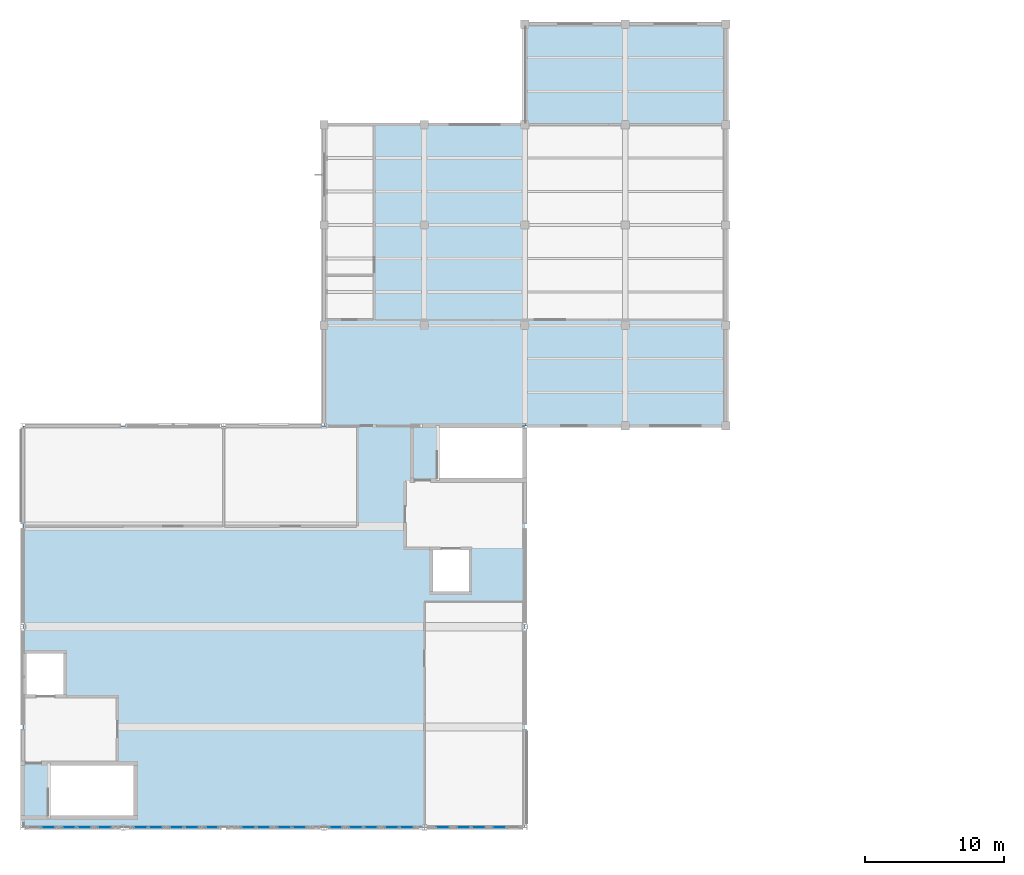
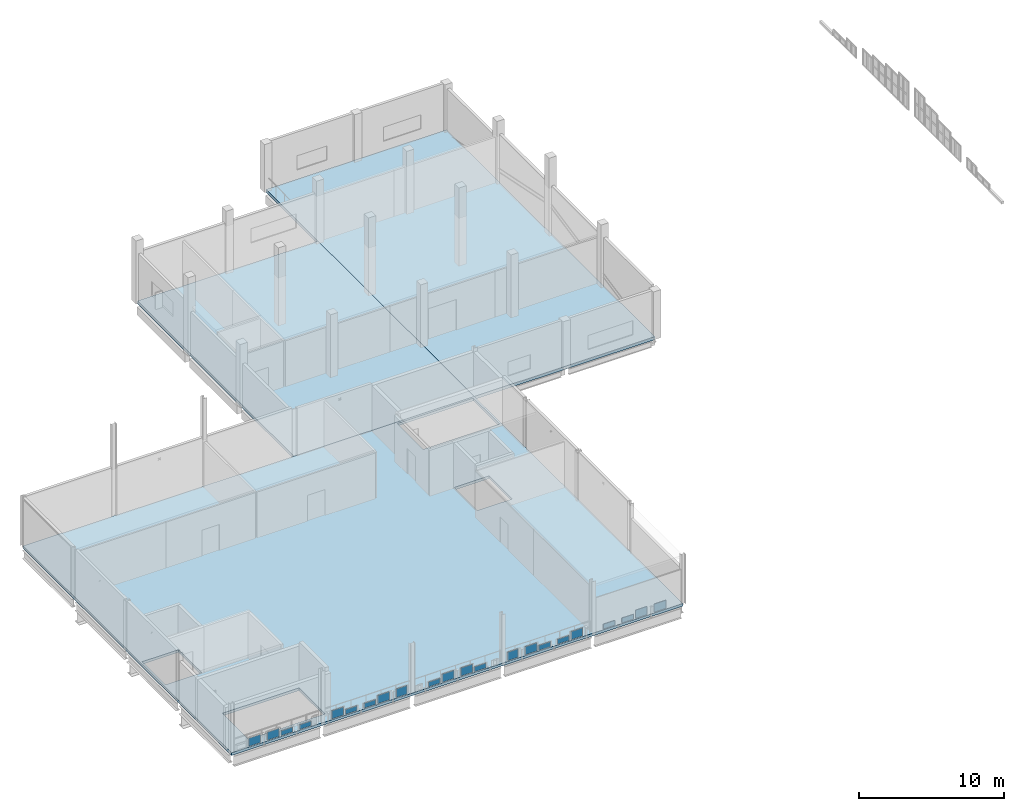
# One storey, part 10 of 20: 22 plates, 3 slabs, 22 elements without a shape of their own.
"""IFC4 building model written with IfcOpenShell, lengths in metres."""

from ifc_helpers import new_model, si_unit, direction, frame, origin, origin_2d, place, context, subcontext, project, spatial, polyline, rectangle, outline, extrude, material, layer, layer_set, type_object, element, aggregate, save


model = new_model("IFC4")

# Units and contexts
model_context = context("Model", 3, precision=1e-05, world=origin(), true_north=direction((0.0, 1.0)))
body_context = subcontext(model_context, "Body", "Model", "MODEL_VIEW")
ifc_project = project(units=[si_unit("LENGTHUNIT", "METRE"), si_unit("AREAUNIT", "SQUARE_METRE"), si_unit("VOLUMEUNIT", "CUBIC_METRE"), si_unit("PLANEANGLEUNIT", "RADIAN"), si_unit("MASSUNIT", "GRAM", prefix="KILO"), si_unit("THERMODYNAMICTEMPERATUREUNIT", "KELVIN"), si_unit("POWERUNIT", "WATT")], contexts=[model_context])

# Site, building, storey
site_placement = place(None, origin())
site = spatial("IfcSite", under=ifc_project, at=site_placement, CompositionType="ELEMENT")
building_placement = place(site_placement, origin())
building = spatial("IfcBuilding", under=site, at=building_placement, Name="Kaldorven Railside Theatre", CompositionType="ELEMENT")
storey_placement = place(building_placement, frame((0.0, 0.0, 23.10009765625)))
storey = spatial("IfcBuildingStorey", under=building, at=storey_placement, Name="L05", CompositionType="ELEMENT", Elevation=23.10009765625)

# Curtain wall, plate
ifc_material_1 = material(Name="Low-E laminated solar-control glass", Category="glass")
ifc_layer_1 = layer(ifc_material_1, 0.159912109375, Name="Low-E laminated solar-control glass")
ifc_layer_set_1 = layer_set([ifc_layer_1], Name="Low-E laminated solar-control glass")
curtain_wall_type_1 = type_object("IfcCurtainWallType", Name="CWT-42", PredefinedType="USERDEFINED", material=ifc_layer_set_1)
curtain_wall_1_placement = place(storey_placement, origin())
curtain_wall_1 = element("IfcCurtainWall", 1, at=curtain_wall_1_placement, inside=storey, type_object=curtain_wall_type_1, Name="Main Theatre North Ridge Clerestory CWG-034", ObjectType="FLUTED GLAZING", PredefinedType="USERDEFINED")
ifc_layer_2 = layer(ifc_material_1, 0.028076171875, Name="Low-E laminated solar-control glass")
ifc_layer_set_2 = layer_set([ifc_layer_2], Name="Low-E laminated solar-control glass")
plate_type = type_object("IfcPlateType", Name="CWP-GLZ28", PredefinedType="CURTAIN_PANEL", material=ifc_layer_set_2)
plate_1_placement = place(storey_placement, frame((89.028564453125, 84.0, 0.080078125), z_axis=(0.0, 0.0, 1.0), x_axis=(1.0, 0.0, 0.0)))
plate_1 = element("IfcPlate", 2, at=plate_1_placement, type_object=plate_type, Name="CWG-034 panel 1.1", PredefinedType="CURTAIN_PANEL", context=body_context, shape_type="SweptSolid", body=[
    extrude(rectangle(XDim=0.92578125, YDim=0.028076171875, at=origin_2d()), origin(), (0.0, 0.0, 1.0), 0.679931640625),
])
aggregate(curtain_wall_1, [plate_1])

curtain_wall_2_placement = place(storey_placement, origin())
curtain_wall_2 = element("IfcCurtainWall", 3, at=curtain_wall_2_placement, inside=storey, type_object=curtain_wall_type_1, Name="Main Theatre North Ridge Clerestory CWG-035", ObjectType="FLUTED GLAZING", PredefinedType="USERDEFINED")
plate_2_placement = place(storey_placement, frame((90.51416015625, 84.0, 0.080078125), z_axis=(0.0, 0.0, 1.0), x_axis=(1.0, 0.0, 0.0)))
plate_2 = element("IfcPlate", 4, at=plate_2_placement, type_object=plate_type, Name="CWG-035 panel 1.1", PredefinedType="CURTAIN_PANEL", context=body_context, shape_type="SweptSolid", body=[
    extrude(rectangle(XDim=0.92578125, YDim=0.028076171875, at=origin_2d()), origin(), (0.0, 0.0, 1.0), 0.679931640625),
])
aggregate(curtain_wall_2, [plate_2])

ifc_layer_3 = layer(ifc_material_1, 0.159912109375, Name="Low-E laminated solar-control glass")
ifc_layer_set_3 = layer_set([ifc_layer_3], Name="Low-E laminated solar-control glass")
curtain_wall_type_2 = type_object("IfcCurtainWallType", Name="CWT-43", PredefinedType="USERDEFINED", material=ifc_layer_set_3)
curtain_wall_3_placement = place(storey_placement, origin())
curtain_wall_3 = element("IfcCurtainWall", 5, at=curtain_wall_3_placement, inside=storey, type_object=curtain_wall_type_2, Name="Main Theatre North Ridge Clerestory CWG-036", ObjectType="FLUTED GLAZING", PredefinedType="USERDEFINED")
plate_3_placement = place(storey_placement, frame((91.60009765625, 84.0, 0.079833984375), z_axis=(0.0, 0.0, 1.0), x_axis=(1.0, 0.0, 0.0)))
plate_3 = element("IfcPlate", 6, at=plate_3_placement, type_object=plate_type, Name="CWG-036 panel 1.1", PredefinedType="CURTAIN_PANEL", context=body_context, shape_type="SweptSolid", body=[
    extrude(rectangle(XDim=0.92578125, YDim=0.028076171875, at=origin_2d()), origin(), (0.0, 0.0, 1.0), 0.39990234375),
])
aggregate(curtain_wall_3, [plate_3])

curtain_wall_4_placement = place(storey_placement, origin())
curtain_wall_4 = element("IfcCurtainWall", 7, at=curtain_wall_4_placement, inside=storey, type_object=curtain_wall_type_2, Name="Main Theatre North Ridge Clerestory CWG-037", ObjectType="FLUTED GLAZING", PredefinedType="USERDEFINED")
plate_4_placement = place(storey_placement, frame((93.085693359375, 84.0, 0.079833984375), z_axis=(0.0, 0.0, 1.0), x_axis=(1.0, 0.0, 0.0)))
plate_4 = element("IfcPlate", 8, at=plate_4_placement, type_object=plate_type, Name="CWG-037 panel 1.1", PredefinedType="CURTAIN_PANEL", context=body_context, shape_type="SweptSolid", body=[
    extrude(rectangle(XDim=0.92578125, YDim=0.028076171875, at=origin_2d()), origin(), (0.0, 0.0, 1.0), 0.39990234375),
])
aggregate(curtain_wall_4, [plate_4])

curtain_wall_5_placement = place(storey_placement, origin())
curtain_wall_5 = element("IfcCurtainWall", 9, at=curtain_wall_5_placement, inside=storey, type_object=curtain_wall_type_1, Name="Main Theatre North Ridge Clerestory CWG-039", ObjectType="FLUTED GLAZING", PredefinedType="USERDEFINED")
plate_5_placement = place(storey_placement, frame((95.6572265625, 84.0, 0.080078125), z_axis=(0.0, 0.0, 1.0), x_axis=(1.0, 0.0, 0.0)))
plate_5 = element("IfcPlate", 10, at=plate_5_placement, type_object=plate_type, Name="CWG-039 panel 1.1", PredefinedType="CURTAIN_PANEL", context=body_context, shape_type="SweptSolid", body=[
    extrude(rectangle(XDim=0.92578125, YDim=0.028076171875, at=origin_2d()), origin(), (0.0, 0.0, 1.0), 0.679931640625),
])
aggregate(curtain_wall_5, [plate_5])

curtain_wall_6_placement = place(storey_placement, origin())
curtain_wall_6 = element("IfcCurtainWall", 11, at=curtain_wall_6_placement, inside=storey, type_object=curtain_wall_type_2, Name="Main Theatre North Ridge Clerestory CWG-040", ObjectType="FLUTED GLAZING", PredefinedType="USERDEFINED")
plate_6_placement = place(storey_placement, frame((96.742919921875, 84.0, 0.079833984375), z_axis=(0.0, 0.0, 1.0), x_axis=(1.0, 0.0, 0.0)))
plate_6 = element("IfcPlate", 12, at=plate_6_placement, type_object=plate_type, Name="CWG-040 panel 1.1", PredefinedType="CURTAIN_PANEL", context=body_context, shape_type="SweptSolid", body=[
    extrude(rectangle(XDim=0.92578125, YDim=0.028076171875, at=origin_2d()), origin(), (0.0, 0.0, 1.0), 0.39990234375),
])
aggregate(curtain_wall_6, [plate_6])

curtain_wall_7_placement = place(storey_placement, origin())
curtain_wall_7 = element("IfcCurtainWall", 13, at=curtain_wall_7_placement, inside=storey, type_object=curtain_wall_type_2, Name="Main Theatre North Ridge Clerestory CWG-041", ObjectType="FLUTED GLAZING", PredefinedType="USERDEFINED")
plate_7_placement = place(storey_placement, frame((98.228515625, 84.0, 0.079833984375), z_axis=(0.0, 0.0, 1.0), x_axis=(1.0, 0.0, 0.0)))
plate_7 = element("IfcPlate", 14, at=plate_7_placement, type_object=plate_type, Name="CWG-041 panel 1.1", PredefinedType="CURTAIN_PANEL", context=body_context, shape_type="SweptSolid", body=[
    extrude(rectangle(XDim=0.92578125, YDim=0.028076171875, at=origin_2d()), origin(), (0.0, 0.0, 1.0), 0.39990234375),
])
aggregate(curtain_wall_7, [plate_7])

curtain_wall_8_placement = place(storey_placement, origin())
curtain_wall_8 = element("IfcCurtainWall", 15, at=curtain_wall_8_placement, inside=storey, type_object=curtain_wall_type_1, Name="Main Theatre North Ridge Clerestory CWG-042", ObjectType="FLUTED GLAZING", PredefinedType="USERDEFINED")
plate_8_placement = place(storey_placement, frame((99.314208984375, 84.0, 0.080078125), z_axis=(0.0, 0.0, 1.0), x_axis=(1.0, 0.0, 0.0)))
plate_8 = element("IfcPlate", 16, at=plate_8_placement, type_object=plate_type, Name="CWG-042 panel 1.1", PredefinedType="CURTAIN_PANEL", context=body_context, shape_type="SweptSolid", body=[
    extrude(rectangle(XDim=0.92578125, YDim=0.028076171875, at=origin_2d()), origin(), (0.0, 0.0, 1.0), 0.679931640625),
])
aggregate(curtain_wall_8, [plate_8])

ifc_layer_4 = layer(ifc_material_1, 0.159912109375, Name="Low-E laminated solar-control glass")
ifc_layer_set_4 = layer_set([ifc_layer_4], Name="Low-E laminated solar-control glass")
curtain_wall_type_3 = type_object("IfcCurtainWallType", Name="CWT-45", PredefinedType="USERDEFINED", material=ifc_layer_set_4)
curtain_wall_9_placement = place(storey_placement, origin())
curtain_wall_9 = element("IfcCurtainWall", 17, at=curtain_wall_9_placement, inside=storey, type_object=curtain_wall_type_3, Name="Main Theatre North Ridge Clerestory CWG-043", ObjectType="FLUTED GLAZING", PredefinedType="USERDEFINED")
plate_9_placement = place(storey_placement, frame((100.758544921875, 84.0, 0.079833984375), z_axis=(0.0, 0.0, 1.0), x_axis=(1.0, 0.0, 0.0)))
plate_9 = element("IfcPlate", 18, at=plate_9_placement, type_object=plate_type, Name="CWG-043 panel 1.1", PredefinedType="CURTAIN_PANEL", context=body_context, shape_type="SweptSolid", body=[
    extrude(rectangle(XDim=0.843017578125, YDim=0.028076171875, at=origin_2d()), origin(), (0.0, 0.0, 1.0), 0.7099609375),
])
aggregate(curtain_wall_9, [plate_9])

curtain_wall_10_placement = place(storey_placement, origin())
curtain_wall_10 = element("IfcCurtainWall", 19, at=curtain_wall_10_placement, inside=storey, type_object=curtain_wall_type_2, Name="Main Theatre North Ridge Clerestory CWG-045", ObjectType="FLUTED GLAZING", PredefinedType="USERDEFINED")
plate_10_placement = place(storey_placement, frame((103.371337890625, 84.0, 0.079833984375), z_axis=(0.0, 0.0, 1.0), x_axis=(1.0, 0.0, 0.0)))
plate_10 = element("IfcPlate", 20, at=plate_10_placement, type_object=plate_type, Name="CWG-045 panel 1.1", PredefinedType="CURTAIN_PANEL", context=body_context, shape_type="SweptSolid", body=[
    extrude(rectangle(XDim=0.92578125, YDim=0.028076171875, at=origin_2d()), origin(), (0.0, 0.0, 1.0), 0.39990234375),
])
aggregate(curtain_wall_10, [plate_10])

curtain_wall_11_placement = place(storey_placement, origin())
curtain_wall_11 = element("IfcCurtainWall", 21, at=curtain_wall_11_placement, inside=storey, type_object=curtain_wall_type_1, Name="Main Theatre North Ridge Clerestory CWG-046", ObjectType="FLUTED GLAZING", PredefinedType="USERDEFINED")
plate_11_placement = place(storey_placement, frame((104.45703125, 84.0, 0.080078125), z_axis=(0.0, 0.0, 1.0), x_axis=(1.0, 0.0, 0.0)))
plate_11 = element("IfcPlate", 22, at=plate_11_placement, type_object=plate_type, Name="CWG-046 panel 1.1", PredefinedType="CURTAIN_PANEL", context=body_context, shape_type="SweptSolid", body=[
    extrude(rectangle(XDim=0.92578125, YDim=0.028076171875, at=origin_2d()), origin(), (0.0, 0.0, 1.0), 0.679931640625),
])
aggregate(curtain_wall_11, [plate_11])

curtain_wall_12_placement = place(storey_placement, origin())
curtain_wall_12 = element("IfcCurtainWall", 23, at=curtain_wall_12_placement, inside=storey, type_object=curtain_wall_type_1, Name="Main Theatre North Ridge Clerestory CWG-047", ObjectType="FLUTED GLAZING", PredefinedType="USERDEFINED")
plate_12_placement = place(storey_placement, frame((105.94287109375, 84.0, 0.080078125), z_axis=(0.0, 0.0, 1.0), x_axis=(1.0, 0.0, 0.0)))
plate_12 = element("IfcPlate", 24, at=plate_12_placement, type_object=plate_type, Name="CWG-047 panel 1.1", PredefinedType="CURTAIN_PANEL", context=body_context, shape_type="SweptSolid", body=[
    extrude(rectangle(XDim=0.92578125, YDim=0.028076171875, at=origin_2d()), origin(), (0.0, 0.0, 1.0), 0.679931640625),
])
aggregate(curtain_wall_12, [plate_12])

curtain_wall_13_placement = place(storey_placement, origin())
curtain_wall_13 = element("IfcCurtainWall", 25, at=curtain_wall_13_placement, inside=storey, type_object=curtain_wall_type_2, Name="Main Theatre North Ridge Clerestory CWG-048", ObjectType="FLUTED GLAZING", PredefinedType="USERDEFINED")
plate_13_placement = place(storey_placement, frame((107.028564453125, 84.0, 0.079833984375), z_axis=(0.0, 0.0, 1.0), x_axis=(1.0, 0.0, 0.0)))
plate_13 = element("IfcPlate", 26, at=plate_13_placement, type_object=plate_type, Name="CWG-048 panel 1.1", PredefinedType="CURTAIN_PANEL", context=body_context, shape_type="SweptSolid", body=[
    extrude(rectangle(XDim=0.92578125, YDim=0.028076171875, at=origin_2d()), origin(), (0.0, 0.0, 1.0), 0.39990234375),
])
aggregate(curtain_wall_13, [plate_13])

curtain_wall_14_placement = place(storey_placement, origin())
curtain_wall_14 = element("IfcCurtainWall", 27, at=curtain_wall_14_placement, inside=storey, type_object=curtain_wall_type_3, Name="Main Theatre North Ridge Clerestory CWG-050", ObjectType="FLUTED GLAZING", PredefinedType="USERDEFINED")
plate_14_placement = place(storey_placement, frame((109.641357421875, 84.0, 0.079833984375), z_axis=(0.0, 0.0, 1.0), x_axis=(1.0, 0.0, 0.0)))
plate_14 = element("IfcPlate", 28, at=plate_14_placement, type_object=plate_type, Name="CWG-050 panel 1.1", PredefinedType="CURTAIN_PANEL", context=body_context, shape_type="SweptSolid", body=[
    extrude(rectangle(XDim=0.8427734375, YDim=0.028076171875, at=origin_2d()), origin(), (0.0, 0.0, 1.0), 0.7099609375),
])
aggregate(curtain_wall_14, [plate_14])

curtain_wall_15_placement = place(storey_placement, origin())
curtain_wall_15 = element("IfcCurtainWall", 29, at=curtain_wall_15_placement, inside=storey, type_object=curtain_wall_type_1, Name="Main Theatre North Ridge Clerestory CWG-051", ObjectType="FLUTED GLAZING", PredefinedType="USERDEFINED")
plate_15_placement = place(storey_placement, frame((111.085693359375, 84.0, 0.080078125), z_axis=(0.0, 0.0, 1.0), x_axis=(1.0, 0.0, 0.0)))
plate_15 = element("IfcPlate", 30, at=plate_15_placement, type_object=plate_type, Name="CWG-051 panel 1.1", PredefinedType="CURTAIN_PANEL", context=body_context, shape_type="SweptSolid", body=[
    extrude(rectangle(XDim=0.92578125, YDim=0.028076171875, at=origin_2d()), origin(), (0.0, 0.0, 1.0), 0.679931640625),
])
aggregate(curtain_wall_15, [plate_15])

curtain_wall_16_placement = place(storey_placement, origin())
curtain_wall_16 = element("IfcCurtainWall", 31, at=curtain_wall_16_placement, inside=storey, type_object=curtain_wall_type_2, Name="Main Theatre North Ridge Clerestory CWG-052", ObjectType="FLUTED GLAZING", PredefinedType="USERDEFINED")
plate_16_placement = place(storey_placement, frame((112.17138671875, 84.0, 0.079833984375), z_axis=(0.0, 0.0, 1.0), x_axis=(1.0, 0.0, 0.0)))
plate_16 = element("IfcPlate", 32, at=plate_16_placement, type_object=plate_type, Name="CWG-052 panel 1.1", PredefinedType="CURTAIN_PANEL", context=body_context, shape_type="SweptSolid", body=[
    extrude(rectangle(XDim=0.92578125, YDim=0.028076171875, at=origin_2d()), origin(), (0.0, 0.0, 1.0), 0.39990234375),
])
aggregate(curtain_wall_16, [plate_16])

curtain_wall_17_placement = place(storey_placement, origin())
curtain_wall_17 = element("IfcCurtainWall", 33, at=curtain_wall_17_placement, inside=storey, type_object=curtain_wall_type_2, Name="Main Theatre North Ridge Clerestory CWG-053", ObjectType="FLUTED GLAZING", PredefinedType="USERDEFINED")
plate_17_placement = place(storey_placement, frame((113.6572265625, 84.0, 0.079833984375), z_axis=(0.0, 0.0, 1.0), x_axis=(1.0, 0.0, 0.0)))
plate_17 = element("IfcPlate", 34, at=plate_17_placement, type_object=plate_type, Name="CWG-053 panel 1.1", PredefinedType="CURTAIN_PANEL", context=body_context, shape_type="SweptSolid", body=[
    extrude(rectangle(XDim=0.92578125, YDim=0.028076171875, at=origin_2d()), origin(), (0.0, 0.0, 1.0), 0.39990234375),
])
aggregate(curtain_wall_17, [plate_17])

curtain_wall_18_placement = place(storey_placement, origin())
curtain_wall_18 = element("IfcCurtainWall", 35, at=curtain_wall_18_placement, inside=storey, type_object=curtain_wall_type_1, Name="Main Theatre North Ridge Clerestory CWG-054", ObjectType="FLUTED GLAZING", PredefinedType="USERDEFINED")
plate_18_placement = place(storey_placement, frame((114.742919921875, 84.0, 0.080078125), z_axis=(0.0, 0.0, 1.0), x_axis=(1.0, 0.0, 0.0)))
plate_18 = element("IfcPlate", 36, at=plate_18_placement, type_object=plate_type, Name="CWG-054 panel 1.1", PredefinedType="CURTAIN_PANEL", context=body_context, shape_type="SweptSolid", body=[
    extrude(rectangle(XDim=0.92578125, YDim=0.028076171875, at=origin_2d()), origin(), (0.0, 0.0, 1.0), 0.679931640625),
])
aggregate(curtain_wall_18, [plate_18])

curtain_wall_19_placement = place(storey_placement, origin())
curtain_wall_19 = element("IfcCurtainWall", 37, at=curtain_wall_19_placement, inside=storey, type_object=curtain_wall_type_2, Name="Main Theatre North Ridge Clerestory CWG-056", ObjectType="FLUTED GLAZING", PredefinedType="USERDEFINED")
plate_19_placement = place(storey_placement, frame((117.314208984375, 84.0, 0.079833984375), z_axis=(0.0, 0.0, 1.0), x_axis=(1.0, 0.0, 0.0)))
plate_19 = element("IfcPlate", 38, at=plate_19_placement, type_object=plate_type, Name="CWG-056 panel 1.1", PredefinedType="CURTAIN_PANEL", context=body_context, shape_type="SweptSolid", body=[
    extrude(rectangle(XDim=0.92578125, YDim=0.028076171875, at=origin_2d()), origin(), (0.0, 0.0, 1.0), 0.39990234375),
])
aggregate(curtain_wall_19, [plate_19])

curtain_wall_20_placement = place(storey_placement, origin())
curtain_wall_20 = element("IfcCurtainWall", 39, at=curtain_wall_20_placement, inside=storey, type_object=curtain_wall_type_2, Name="Main Theatre North Ridge Clerestory CWG-057", ObjectType="FLUTED GLAZING", PredefinedType="USERDEFINED")
plate_20_placement = place(storey_placement, frame((118.800048828125, 84.0, 0.079833984375), z_axis=(0.0, 0.0, 1.0), x_axis=(1.0, 0.0, 0.0)))
plate_20 = element("IfcPlate", 40, at=plate_20_placement, type_object=plate_type, Name="CWG-057 panel 1.1", PredefinedType="CURTAIN_PANEL", context=body_context, shape_type="SweptSolid", body=[
    extrude(rectangle(XDim=0.92578125, YDim=0.028076171875, at=origin_2d()), origin(), (0.0, 0.0, 1.0), 0.39990234375),
])
aggregate(curtain_wall_20, [plate_20])

curtain_wall_21_placement = place(storey_placement, origin())
curtain_wall_21 = element("IfcCurtainWall", 41, at=curtain_wall_21_placement, inside=storey, type_object=curtain_wall_type_1, Name="Main Theatre North Ridge Clerestory CWG-058", ObjectType="FLUTED GLAZING", PredefinedType="USERDEFINED")
plate_21_placement = place(storey_placement, frame((119.8857421875, 84.0, 0.080078125), z_axis=(0.0, 0.0, 1.0), x_axis=(1.0, 0.0, 0.0)))
plate_21 = element("IfcPlate", 42, at=plate_21_placement, type_object=plate_type, Name="CWG-058 panel 1.1", PredefinedType="CURTAIN_PANEL", context=body_context, shape_type="SweptSolid", body=[
    extrude(rectangle(XDim=0.925537109375, YDim=0.028076171875, at=origin_2d()), origin(), (0.0, 0.0, 1.0), 0.679931640625),
])
aggregate(curtain_wall_21, [plate_21])

curtain_wall_22_placement = place(storey_placement, origin())
curtain_wall_22 = element("IfcCurtainWall", 43, at=curtain_wall_22_placement, inside=storey, type_object=curtain_wall_type_1, Name="Main Theatre North Ridge Clerestory CWG-059", ObjectType="FLUTED GLAZING", PredefinedType="USERDEFINED")
plate_22_placement = place(storey_placement, frame((121.371337890625, 84.0, 0.080078125), z_axis=(0.0, 0.0, 1.0), x_axis=(1.0, 0.0, 0.0)))
plate_22 = element("IfcPlate", 44, at=plate_22_placement, type_object=plate_type, Name="CWG-059 panel 1.1", PredefinedType="CURTAIN_PANEL", context=body_context, shape_type="SweptSolid", body=[
    extrude(rectangle(XDim=0.92578125, YDim=0.028076171875, at=origin_2d()), origin(), (0.0, 0.0, 1.0), 0.679931640625),
])
aggregate(curtain_wall_22, [plate_22])

# Slabs
ifc_material_2 = material(Name="Concrete C35/45", Category="concrete")
ifc_layer_5 = layer(ifc_material_2, 0.219970703125, Name="Concrete C35/45")
ifc_layer_set_5 = layer_set([ifc_layer_5], Name="Concrete C35/45")
slab_type_1 = type_object("IfcSlabType", Name="SLB-FSL-220", PredefinedType="FLOOR", material=ifc_layer_set_5)
slab_1_placement = place(storey_placement, frame((0.0, 0.0, -0.22021484375)))
element("IfcSlab", 45, at=slab_1_placement, inside=storey, type_object=slab_type_1, Name="L05 Floor Slab SL-L05-V2", PredefinedType="FLOOR", context=body_context, shape_type="SweptSolid", body=[
    extrude(outline(polyline([(87.199951171875, 84.0), (123.199951171875, 84.0), (123.199951171875, 112.800048828125), (87.199951171875, 112.800048828125), (87.199951171875, 84.0)]), holes=[polyline([(89.050048828125, 84.85009765625), (95.14990234375, 84.85009765625), (95.14990234375, 88.449951171875), (89.050048828125, 88.449951171875), (89.050048828125, 84.85009765625)]), polyline([(116.949951171875, 109.050048828125), (123.050048828125, 109.050048828125), (123.050048828125, 112.64990234375), (116.949951171875, 112.64990234375), (116.949951171875, 109.050048828125)]), polyline([(90.25, 93.39990234375), (90.25, 96.60009765625), (87.35009765625, 96.60009765625), (87.35009765625, 93.39990234375), (90.25, 93.39990234375)]), polyline([(119.300048828125, 100.800048828125), (119.300048828125, 104.0), (116.5, 104.0), (116.5, 100.800048828125), (119.300048828125, 100.800048828125)])]), origin(), (0.0, 0.0, 1.0), 0.22021484375),
])
ifc_layer_6 = layer(ifc_material_2, 0.25, Name="Concrete C35/45")
ifc_layer_set_6 = layer_set([ifc_layer_6], Name="Concrete C35/45")
slab_type_2 = type_object("IfcSlabType", Name="SLB-FSL-250", PredefinedType="FLOOR", material=ifc_layer_set_6)
slab_2_placement = place(storey_placement, frame((0.0, 0.0, -0.25)))
element("IfcSlab", 46, at=slab_2_placement, inside=storey, type_object=slab_type_2, Name="L05 Floor Slab SL-L05-V6L", PredefinedType="FLOOR", context=body_context, shape_type="SweptSolid", body=[
    extrude(outline(polyline([(108.800048828125, 112.800048828125), (123.199951171875, 112.800048828125), (123.199951171875, 134.39990234375), (108.800048828125, 134.39990234375), (108.800048828125, 112.800048828125)])), origin(), (0.0, 0.0, 1.0), 0.25),
])
slab_3_placement = place(storey_placement, frame((0.0, 0.0, -0.25)))
element("IfcSlab", 47, at=slab_3_placement, inside=storey, type_object=slab_type_2, Name="L05 Floor Slab SL-L05-V6", PredefinedType="FLOOR", context=body_context, shape_type="SweptSolid", body=[
    extrude(outline(polyline([(123.199951171875, 112.800048828125), (137.60009765625, 112.800048828125), (137.60009765625, 141.60009765625), (123.199951171875, 141.60009765625), (123.199951171875, 112.800048828125)])), origin(), (0.0, 0.0, 1.0), 0.25),
])

save(model, "model.ifc")
